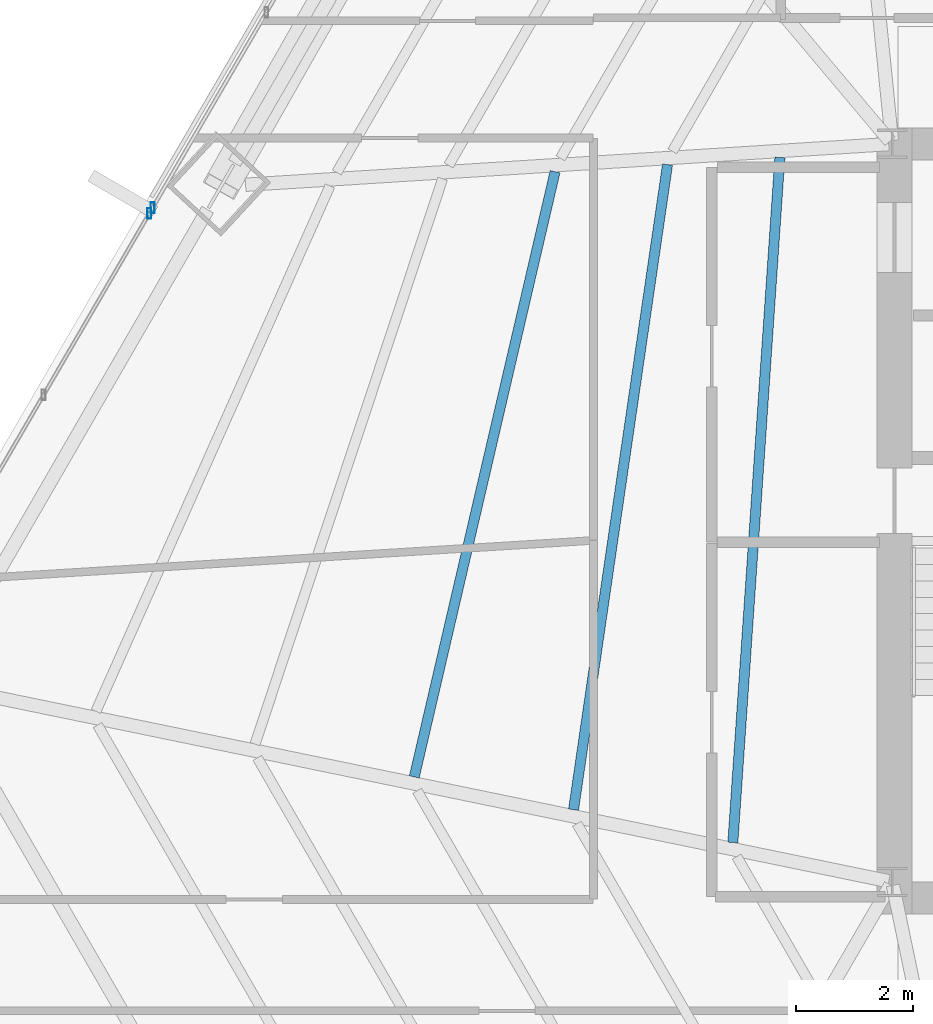
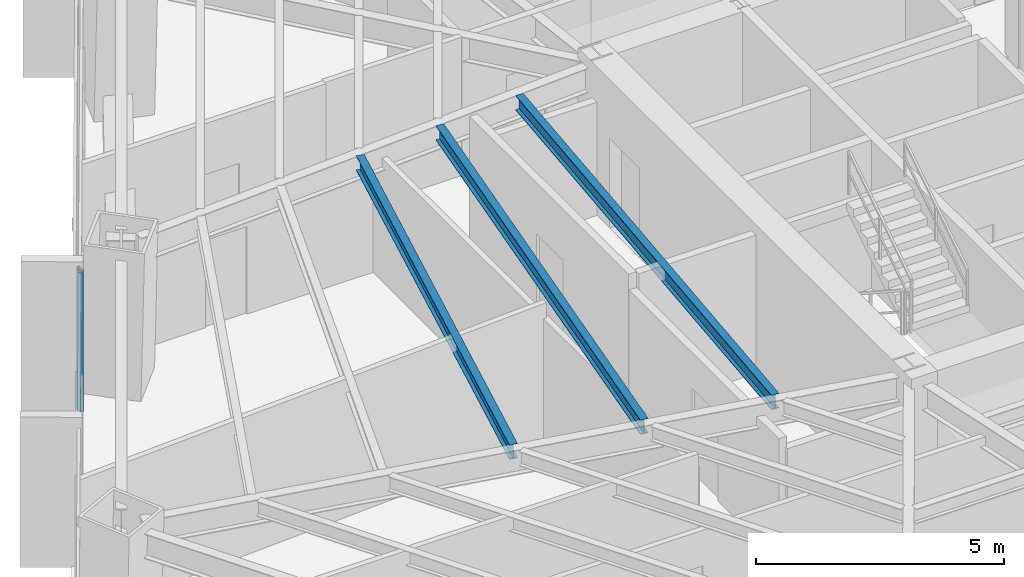
# One storey, part 9 of 29: 3 beams, 2 members, 2 elements without a shape of their own.
"""IFC4 building model written with IfcOpenShell, lengths in metres."""

from ifc_helpers import new_model, si_unit, direction, frame, origin, origin_2d, place, context, subcontext, project, spatial, hollow_rectangle, i_section, extrude, source, transform, mapped, material, material_profile, profile_set, type_object, type_shapes, element, aggregate, save


model = new_model("IFC4")

# Units and contexts
model_context = context("Model", 3, precision=1e-05, world=origin(), true_north=direction((0.0, 1.0)))
body_context = subcontext(model_context, "Body", "Model", "MODEL_VIEW")
ifc_project = project(units=[si_unit("LENGTHUNIT", "METRE"), si_unit("AREAUNIT", "SQUARE_METRE"), si_unit("VOLUMEUNIT", "CUBIC_METRE"), si_unit("PLANEANGLEUNIT", "RADIAN"), si_unit("MASSUNIT", "GRAM", prefix="KILO")], contexts=[model_context])

# Site, building, storey
site_placement = place(None, origin())
site = spatial("IfcSite", under=ifc_project, at=site_placement, CompositionType="ELEMENT")
building_placement = place(site_placement, origin())
building = spatial("IfcBuilding", under=site, at=building_placement, Name="Caelisora Broadcast Tower", CompositionType="ELEMENT")
storey_placement = place(building_placement, frame((0.0, 0.0, 31.25)))
storey = spatial("IfcBuildingStorey", under=building, at=storey_placement, Name="L07", CompositionType="ELEMENT", Elevation=31.25)

# Beams
ifc_material_1 = material(Name="Steel Grade 350 (AS/NZS 3679.1)", Category="steel")
ifc_material_profile_1 = material_profile(ifc_material_1, i_section(OverallWidth=0.172119140625, OverallDepth=0.358642578125, WebThickness=0.008056640625, FlangeThickness=0.012939453125, at=origin_2d()), Name="Steel Grade 350 (AS/NZS 3679.1)")
ifc_profile_set_1 = profile_set([ifc_material_profile_1], Name="Steel Grade 350 (AS/NZS 3679.1)")
beam_type = type_object("IfcBeamType", Name="SB02", PredefinedType="JOIST", material=ifc_profile_set_1)
shared_shape_1 = source(origin(), body_context, "Body", "SweptSolid", [
    extrude(i_section(OverallWidth=0.172119140625, OverallDepth=0.358642578125, WebThickness=0.008056640625, FlangeThickness=0.012939453125, at=origin_2d()), origin(), (0.0, 0.0, 1.0), 11.7216796875),
])
beam_1_placement = place(storey_placement, frame((28.582763671875, 29.767578125, 3.220703125), z_axis=(-0.068504010855, -0.997650840974, 0.0), x_axis=(0.997650840974, -0.068504010855, 0.0)))
element("IfcBeam", 1, at=beam_1_placement, inside=storey, type_object=beam_type, Name="L07 beam SB02", PredefinedType="JOIST", context=body_context, shape_type="MappedRepresentation", body=[
    mapped(shared_shape_1, transform((0.0, 0.0, 0.0), scale=1.0)),
])
shared_shape_2 = source(origin(), body_context, "Body", "SweptSolid", [
    extrude(i_section(OverallWidth=0.172119140625, OverallDepth=0.358642578125, WebThickness=0.008056640625, FlangeThickness=0.012939453125, at=origin_2d()), origin(), (0.0, 0.0, 1.0), 11.128662109375),
])
beam_2_placement = place(storey_placement, frame((26.664306640625, 29.64599609375, 3.220703125), z_axis=(-0.144154285998, -0.989555224244, 0.0), x_axis=(0.989555224244, -0.144154285998, 0.0)))
element("IfcBeam", 2, at=beam_2_placement, inside=storey, type_object=beam_type, Name="L07 beam SB02", PredefinedType="JOIST", context=body_context, shape_type="MappedRepresentation", body=[
    mapped(shared_shape_2, transform((0.0, 0.0, 0.0), scale=1.0)),
])
shared_shape_3 = source(origin(), body_context, "Body", "SweptSolid", [
    extrude(i_section(OverallWidth=0.172119140625, OverallDepth=0.358642578125, WebThickness=0.008056640625, FlangeThickness=0.012939453125, at=origin_2d()), origin(), (0.0, 0.0, 1.0), 10.607177734375),
])
type_shapes(beam_type, [shared_shape_1, shared_shape_2, shared_shape_3])
beam_3_placement = place(storey_placement, frame((24.744873046875, 29.524658203125, 3.220703125), z_axis=(-0.226597281381, -0.973988537957, 0.0), x_axis=(0.973988537957, -0.226597281381, 0.0)))
element("IfcBeam", 3, at=beam_3_placement, inside=storey, type_object=beam_type, Name="L07 beam SB02", PredefinedType="JOIST", context=body_context, shape_type="MappedRepresentation", body=[
    mapped(shared_shape_3, transform((0.0, 0.0, 0.0), scale=1.0)),
])

# Curtain wall, member
ifc_material_2 = material(Name="Unitised Aluminium and Low-E Glass Curtain Wall", Category="glass")
curtain_wall_type_1 = type_object("IfcCurtainWallType", Name="CW-Z1", PredefinedType="NOTDEFINED", material=ifc_material_2)
curtain_wall_1_placement = place(storey_placement, origin())
curtain_wall_1 = element("IfcCurtainWall", 4, at=curtain_wall_1_placement, inside=storey, type_object=curtain_wall_type_1, Name="L07 curtain wall CW-Z1", PredefinedType="NOTDEFINED")
ifc_material_3 = material(Name="Aluminium 6063-T6 Anodised Terracotta Bronze", Category="aluminium")
ifc_material_profile_2 = material_profile(ifc_material_3, hollow_rectangle(XDim=0.06494140625, YDim=0.179931640625, WallThickness=0.00341796875, at=origin_2d()), Name="Aluminium 6063-T6 Anodised Terracotta Bronze")
ifc_profile_set_2 = profile_set([ifc_material_profile_2], Name="Aluminium 6063-T6 Anodised Terracotta Bronze")
member_type = type_object("IfcMemberType", Name="CWM-02", PredefinedType="MULLION", material=ifc_profile_set_2)
shared_shape_4 = source(origin(), body_context, "Body", "SweptSolid", [
    extrude(hollow_rectangle(XDim=0.06494140625, YDim=0.179931640625, WallThickness=0.00341796875, at=origin_2d()), origin(), (0.0, 0.0, 1.0), 3.39990234375),
])
type_shapes(member_type, [shared_shape_4])
member_1_placement = place(storey_placement, frame((17.8193359375, 28.814453125, 0.0), z_axis=(0.0, 0.0, 1.0), x_axis=(1.0, 0.0, 0.0)))
member_1 = element("IfcMember", 5, at=member_1_placement, type_object=member_type, Name="L07-CW-B09 mullion #3", PredefinedType="MULLION", context=body_context, shape_type="MappedRepresentation", body=[
    mapped(shared_shape_4, transform((0.0, 0.0, 0.0), scale=1.0)),
])
aggregate(curtain_wall_1, [member_1])

ifc_material_4 = material(Name="Unitised Aluminium Insulated Shadow-Box Spandrel Curtain Wall", Category="aluminium")
curtain_wall_type_2 = type_object("IfcCurtainWallType", Name="CW-SP1", PredefinedType="NOTDEFINED", material=ifc_material_4)
curtain_wall_2_placement = place(storey_placement, origin())
curtain_wall_2 = element("IfcCurtainWall", 6, at=curtain_wall_2_placement, inside=storey, type_object=curtain_wall_type_2, Name="L07 curtain wall CW-SP1", PredefinedType="NOTDEFINED")
member_2_placement = place(storey_placement, frame((17.874755859375, 28.909423828125, 0.0), z_axis=(0.0, 0.0, 1.0), x_axis=(1.0, 0.0, 0.0)))
member_2 = element("IfcMember", 7, at=member_2_placement, type_object=member_type, Name="L07-CW-B10 mullion #0", PredefinedType="MULLION", context=body_context, shape_type="MappedRepresentation", body=[
    mapped(shared_shape_4, transform((0.0, 0.0, 0.0), scale=1.0)),
])
aggregate(curtain_wall_2, [member_2])

save(model, "model.ifc")
